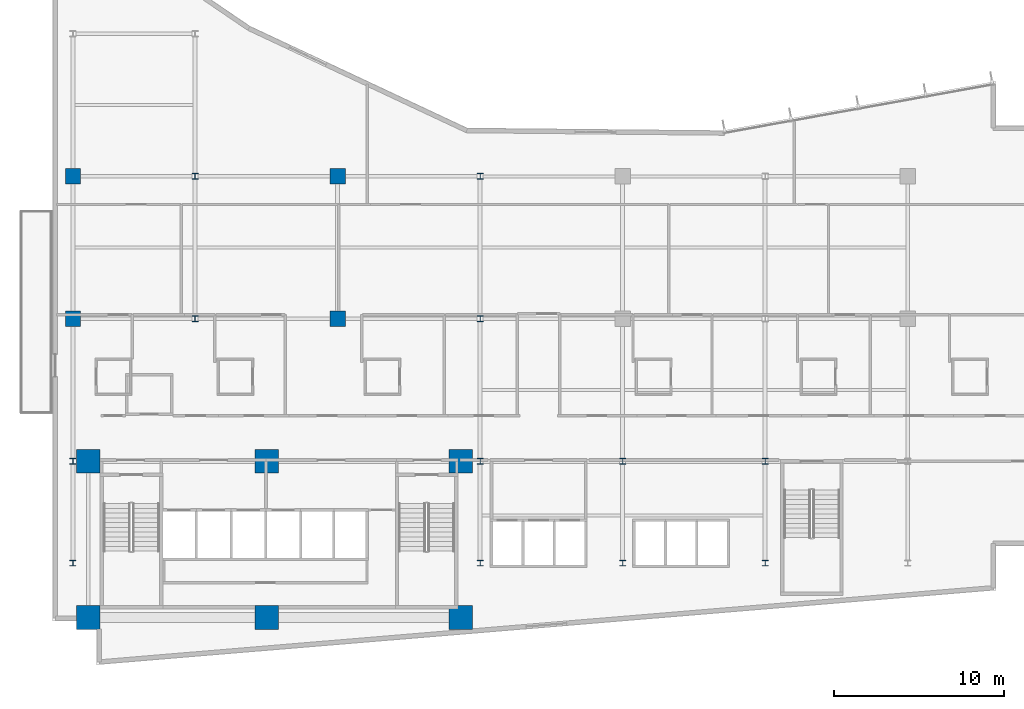
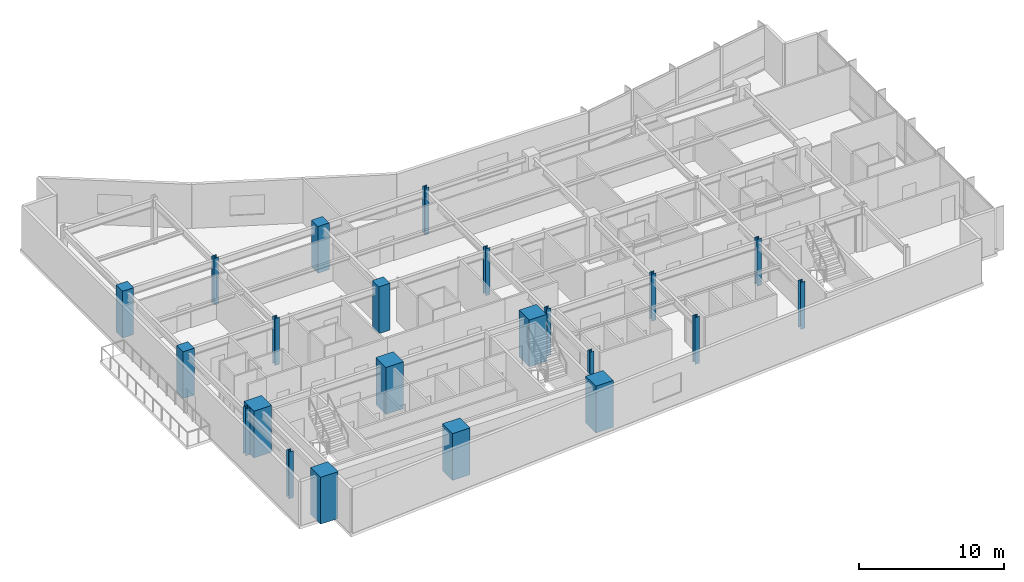
# One storey, part 1 of 20: 22 columns.
"""IFC4 building model written with IfcOpenShell, lengths in metres."""

from ifc_helpers import new_model, si_unit, direction, frame, origin, origin_2d, place, context, subcontext, project, spatial, rectangle, i_section, extrude, material, material_profile, profile_set, type_object, element, save


model = new_model("IFC4")

# Units and contexts
model_context = context("Model", 3, precision=1e-05, world=origin(), true_north=direction((0.0, 1.0)))
body_context = subcontext(model_context, "Body", "Model", "MODEL_VIEW")
ifc_project = project(units=[si_unit("LENGTHUNIT", "METRE"), si_unit("AREAUNIT", "SQUARE_METRE"), si_unit("VOLUMEUNIT", "CUBIC_METRE"), si_unit("PLANEANGLEUNIT", "RADIAN"), si_unit("MASSUNIT", "GRAM", prefix="KILO")], contexts=[model_context])

# Site, building, storey
site_placement = place(None, origin())
site = spatial("IfcSite", under=ifc_project, at=site_placement, CompositionType="ELEMENT")
building_placement = place(site_placement, origin())
building = spatial("IfcBuilding", under=site, at=building_placement, Name="Varnakote Quay Hospital", CompositionType="ELEMENT")
storey_placement = place(building_placement, frame((0.0, 0.0, 26.449951171875)))
storey = spatial("IfcBuildingStorey", under=building, at=storey_placement, Name="L06", CompositionType="ELEMENT", Elevation=26.449951171875)

# Columns
ifc_material_1 = material(Name="Concrete N80 (f'c 80 MPa)", Category="concrete")
ifc_material_profile_1 = material_profile(ifc_material_1, rectangle(XDim=1.39990234375, YDim=1.39990234375, at=origin_2d()), Name="RC-COL-1400x1400")
ifc_profile_set_1 = profile_set([ifc_material_profile_1], Name="Concrete N80 (f'c 80 MPa)")
column_type_1 = type_object("IfcColumnType", Name="COL-RC-1400", PredefinedType="COLUMN", material=ifc_profile_set_1)
for number, where, z_axis, x_axis, name in (
    (1, (2.10009765625, 2.800048828125, 0.0), (0.0, 0.0, 1.0), (1.0, 0.0, 0.0), "L06 Structural Column C-2-3"),
    (2, (12.6201171875, 2.800048828125, 0.0), (0.0, 0.0, 1.0), (1.0, 0.0, 0.0), "L06 Structural Column C-13-3"),
    (3, (24.050048828125, 2.800048828125, 0.0), (0.0, 0.0, 1.0), (1.0, 0.0, 0.0), "L06 Structural Column C-24-3"),
    (4, (2.10009765625, 12.0, 0.0), (0.0, 0.0, 1.0), (1.0, 0.0, 0.0), "L06 Structural Column C-2-12"),
    (5, (12.6201171875, 12.0, 0.0), (0.0, 0.0, 1.0), (1.0, 0.0, 0.0), "L06 Structural Column C-13-12"),
    (6, (24.050048828125, 12.0, 0.0), (0.0, 0.0, 1.0), (1.0, 0.0, 0.0), "L06 Structural Column C-24-12"),
):
    element("IfcColumn", number, at=place(storey_placement, frame(where, z_axis=z_axis, x_axis=x_axis)), inside=storey, type_object=column_type_1, Name=name, PredefinedType="COLUMN", context=body_context, shape_type="SweptSolid", body=[
        extrude(rectangle(XDim=1.39990234375, YDim=1.39990234375, at=origin_2d()), origin(), (0.0, 0.0, 1.0), 3.949951171875),
    ])
ifc_material_2 = material(Name="Concrete N50 (f'c 50 MPa)", Category="concrete")
ifc_material_profile_2 = material_profile(ifc_material_2, rectangle(XDim=0.89990234375, YDim=0.89990234375, at=origin_2d()), Name="RC-COL-900x900")
ifc_profile_set_2 = profile_set([ifc_material_profile_2], Name="Concrete N50 (f'c 50 MPa)")
column_type_2 = type_object("IfcColumnType", Name="COL-RC-900", PredefinedType="COLUMN", material=ifc_profile_set_2)
for number, where, z_axis, x_axis, name in (
    (7, (1.199951171875, 20.39990234375, 0.0), (0.0, 0.0, 1.0), (1.0, 0.0, 0.0), "L06 Structural Column C-1-20"),
    (8, (16.800048828125, 20.39990234375, 0.0), (0.0, 0.0, 1.0), (1.0, 0.0, 0.0), "L06 Structural Column C-17-20"),
    (9, (1.199951171875, 28.800048828125, 0.0), (0.0, 0.0, 1.0), (1.0, 0.0, 0.0), "L06 Structural Column C-1-29"),
    (10, (16.800048828125, 28.800048828125, 0.0), (0.0, 0.0, 1.0), (1.0, 0.0, 0.0), "L06 Structural Column C-17-29"),
):
    element("IfcColumn", number, at=place(storey_placement, frame(where, z_axis=z_axis, x_axis=x_axis)), inside=storey, type_object=column_type_2, Name=name, PredefinedType="COLUMN", context=body_context, shape_type="SweptSolid", body=[
        extrude(rectangle(XDim=0.89990234375, YDim=0.89990234375, at=origin_2d()), origin(), (0.0, 0.0, 1.0), 3.949951171875),
    ])
ifc_material_3 = material(Name="Structural steel AS/NZS 3678 Grade 350 (fy 340 MPa)", Category="steel")
ifc_material_profile_3 = material_profile(ifc_material_3, i_section(OverallWidth=0.35009765625, OverallDepth=0.340087890625, WebThickness=0.01611328125, FlangeThickness=0.028076171875, at=origin_2d()), Name="350WC197")
ifc_profile_set_3 = profile_set([ifc_material_profile_3], Name="Structural steel AS/NZS 3678 Grade 350 (fy 340 MPa)")
column_type_3 = type_object("IfcColumnType", Name="COL-STL-350WC197", PredefinedType="COLUMN", material=ifc_profile_set_3)
for number, where, z_axis, x_axis, name in (
    (11, (1.199951171875, 6.0, 0.0), (0.0, 0.0, 1.0), (1.0, 0.0, 0.0), "L06 Structural Column C-1-6"),
    (12, (25.199951171875, 6.0, 0.0), (0.0, 0.0, 1.0), (1.0, 0.0, 0.0), "L06 Structural Column C-25-6"),
    (13, (33.60009765625, 6.0, 0.0), (0.0, 0.0, 1.0), (1.0, 0.0, 0.0), "L06 Structural Column C-34-6"),
    (14, (42.0, 6.0, 0.0), (0.0, 0.0, 1.0), (1.0, 0.0, 0.0), "L06 Structural Column C-42-6"),
    (15, (1.199951171875, 12.0, 0.0), (0.0, 0.0, 1.0), (1.0, 0.0, 0.0), "L06 Structural Column C-1-12"),
    (16, (25.199951171875, 12.0, 0.0), (0.0, 0.0, 1.0), (1.0, 0.0, 0.0), "L06 Structural Column C-25-12"),
    (17, (33.60009765625, 12.0, 0.0), (0.0, 0.0, 1.0), (1.0, 0.0, 0.0), "L06 Structural Column C-34-12"),
    (18, (42.0, 12.0, 0.0), (0.0, 0.0, 1.0), (1.0, 0.0, 0.0), "L06 Structural Column C-42-12"),
    (19, (8.39990234375, 20.39990234375, 0.0), (0.0, 0.0, 1.0), (1.0, 0.0, 0.0), "L06 Structural Column C-8-20"),
    (20, (25.199951171875, 20.39990234375, 0.0), (0.0, 0.0, 1.0), (1.0, 0.0, 0.0), "L06 Structural Column C-25-20"),
    (21, (8.39990234375, 28.800048828125, 0.0), (0.0, 0.0, 1.0), (1.0, 0.0, 0.0), "L06 Structural Column C-8-29"),
    (22, (25.199951171875, 28.800048828125, 0.0), (0.0, 0.0, 1.0), (1.0, 0.0, 0.0), "L06 Structural Column C-25-29"),
):
    element("IfcColumn", number, at=place(storey_placement, frame(where, z_axis=z_axis, x_axis=x_axis)), inside=storey, type_object=column_type_3, Name=name, PredefinedType="COLUMN", context=body_context, shape_type="SweptSolid", body=[
        extrude(i_section(OverallWidth=0.35009765625, OverallDepth=0.340087890625, WebThickness=0.01611328125, FlangeThickness=0.028076171875, at=origin_2d()), origin(), (0.0, 0.0, 1.0), 3.949951171875),
    ])

save(model, "model.ifc")
